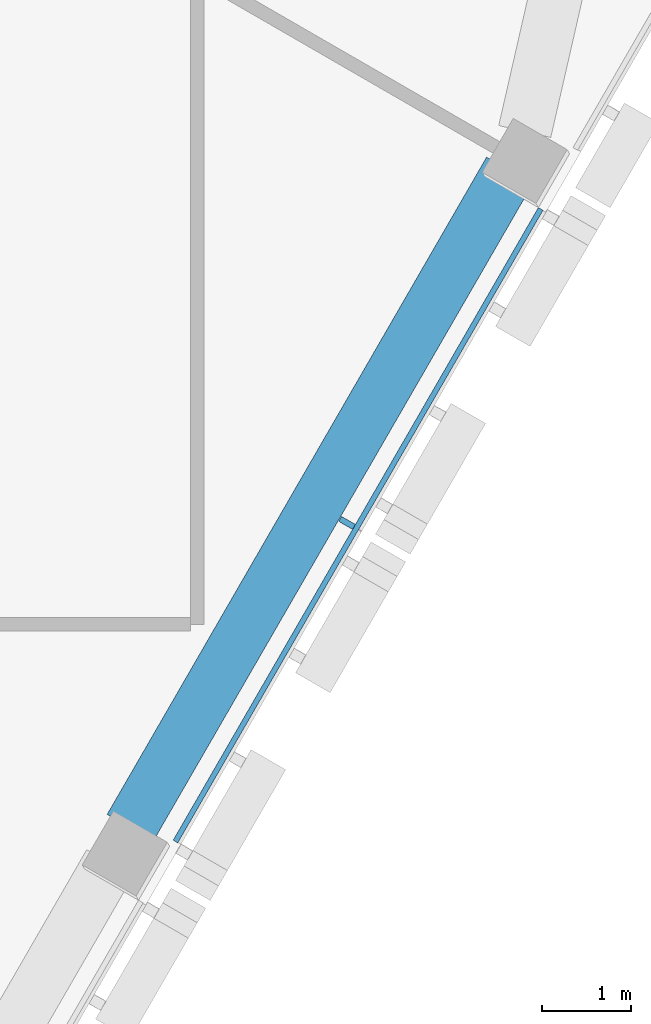
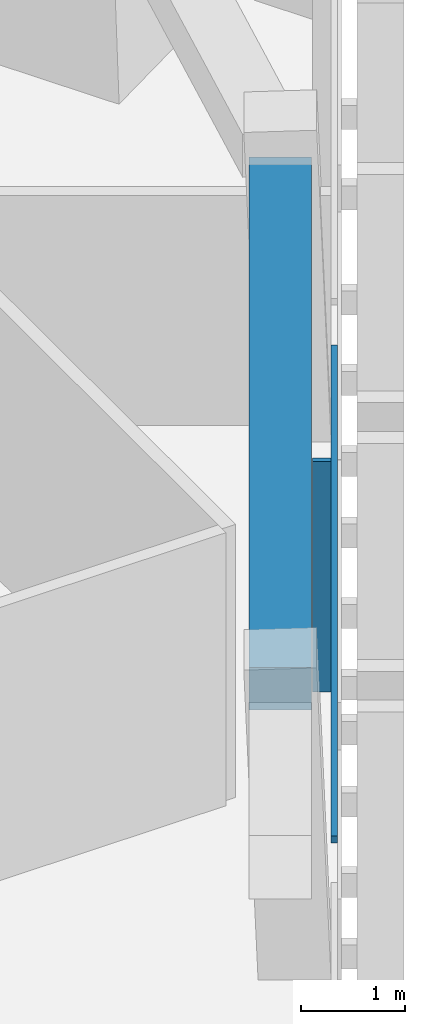
# One storey, part 4 of 12: 2 members, 1 beam, 1 element without a shape of its own.
"""IFC4 building model written with IfcOpenShell, lengths in metres."""

from ifc_helpers import new_model, si_unit, direction, frame, origin, origin_2d, place, context, subcontext, project, spatial, rectangle, extrude, material, layer, layer_set, material_profile, profile_set, type_object, element, aggregate, save


model = new_model("IFC4")

# Units and contexts
model_context = context("Model", 3, precision=1e-05, world=origin(), true_north=direction((0.0, 1.0)))
body_context = subcontext(model_context, "Body", "Model", "MODEL_VIEW")
ifc_project = project(units=[si_unit("LENGTHUNIT", "METRE"), si_unit("AREAUNIT", "SQUARE_METRE"), si_unit("VOLUMEUNIT", "CUBIC_METRE"), si_unit("PLANEANGLEUNIT", "RADIAN"), si_unit("MASSUNIT", "GRAM", prefix="KILO")], contexts=[model_context])

# Site, building, storey
site_placement = place(None, origin())
site = spatial("IfcSite", under=ifc_project, at=site_placement, CompositionType="ELEMENT")
building_placement = place(site_placement, origin())
building = spatial("IfcBuilding", under=site, at=building_placement, Name="Altiplano Prism Tower", CompositionType="ELEMENT")
storey_placement = place(building_placement, frame((0.0, 0.0, 298.60009765625)))
storey = spatial("IfcBuildingStorey", under=building, at=storey_placement, Name="L77", CompositionType="ELEMENT", Elevation=298.60009765625)

# Curtain wall, members
ifc_material_1 = material(Name="Aluminium and glass", Category="aluminium")
ifc_layer = layer(ifc_material_1, 0.280029296875)
ifc_layer_set = layer_set([ifc_layer], Name="Aluminium and glass")
curtain_wall_type = type_object("IfcCurtainWallType", Name="CW1 typical co-living unitised curtain wall", PredefinedType="NOTDEFINED", material=ifc_layer_set)
curtain_wall_placement = place(storey_placement, origin())
curtain_wall = element("IfcCurtainWall", 1, at=curtain_wall_placement, inside=storey, type_object=curtain_wall_type, Name="CW1 curtain wall south-east face L77", PredefinedType="NOTDEFINED")
ifc_material_2 = material(Name="Aluminium", Category="aluminium")
ifc_material_profile_1 = material_profile(ifc_material_2, rectangle(XDim=0.179931640625, YDim=0.06494140625, at=origin_2d()), Name="CW1 mullion 65 x 180")
ifc_profile_set_1 = profile_set([ifc_material_profile_1], Name="Aluminium")
member_type_1 = type_object("IfcMemberType", Name="CW1 mullion 65 x 180", PredefinedType="MULLION", material=ifc_profile_set_1)
member_1_placement = place(storey_placement, frame((101.4873046875, 91.841796875, 0.0), z_axis=(0.0, 0.0, 1.0), x_axis=(-0.866025408008, 0.499999992684, 0.0)))
member_1 = element("IfcMember", 2, at=member_1_placement, type_object=member_type_1, Name="CW1 mullion", PredefinedType="MULLION", context=body_context, shape_type="SweptSolid", body=[
    extrude(rectangle(XDim=0.179931640625, YDim=0.06494140625, at=origin_2d()), origin(), (0.0, 0.0, 1.0), 2.699951171875),
])
ifc_material_profile_2 = material_profile(ifc_material_2, rectangle(XDim=0.06005859375, YDim=0.080078125, at=origin_2d()), Name="CW1 transom 80 x 60")
ifc_profile_set_2 = profile_set([ifc_material_profile_2], Name="Aluminium")
member_type_2 = type_object("IfcMemberType", Name="CW1 transom 80 x 60", PredefinedType="USERDEFINED", material=ifc_profile_set_2)
member_2_placement = place(storey_placement, frame((99.555908203125, 88.256591796875, 1.099853515625), z_axis=(0.499991554064, 0.866030279993, 0.0), x_axis=(-0.866030279993, 0.499991554064, 0.0)))
member_2 = element("IfcMember", 3, at=member_2_placement, type_object=member_type_2, Name="CW1 transom", ObjectType="TRANSOM", PredefinedType="USERDEFINED", context=body_context, shape_type="SweptSolid", body=[
    extrude(rectangle(XDim=0.06005859375, YDim=0.080078125, at=origin_2d()), origin(), (0.0, 0.0, 1.0), 8.219970703125),
])
aggregate(curtain_wall, [member_1, member_2])

# Beam
ifc_material_3 = material(Name="Concrete C60/75", Category="concrete")
ifc_material_profile_3 = material_profile(ifc_material_3, rectangle(XDim=0.60009765625, YDim=0.5, at=origin_2d()), Name="Edge beam 600x500")
ifc_profile_set_3 = profile_set([ifc_material_profile_3], Name="Concrete C60/75")
beam_type = type_object("IfcBeamType", Name="Edge beam 600x500", PredefinedType="SPANDREL", material=ifc_profile_set_3)
beam_placement = place(storey_placement, frame((99.047119140625, 88.412353515625, 2.949951171875), z_axis=(0.499994660107, 0.866028486751, 0.0), x_axis=(-0.866028486751, 0.499994660107, 0.0)))
element("IfcBeam", 4, at=beam_placement, inside=storey, type_object=beam_type, Name="Edge beam P23-P24 L78", PredefinedType="SPANDREL", context=body_context, shape_type="SweptSolid", body=[
    extrude(rectangle(XDim=0.60009765625, YDim=0.5, at=origin_2d()), origin(), (0.0, 0.0, 1.0), 8.5400390625),
])

save(model, "model.ifc")
